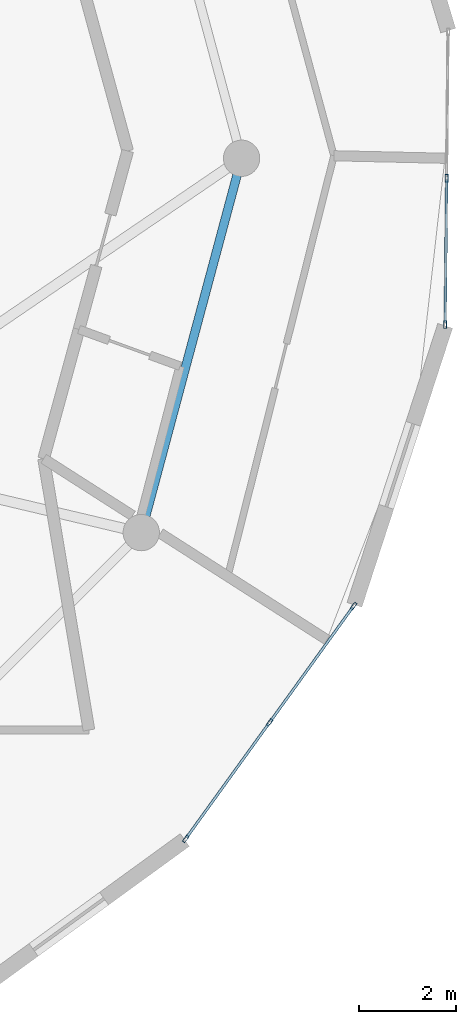
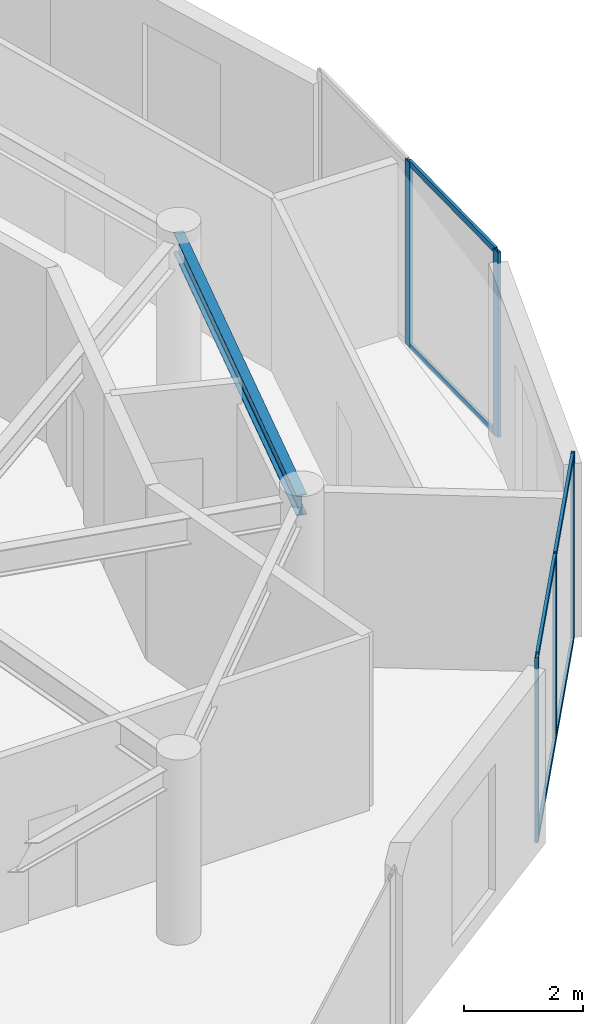
# One storey, part 9 of 19: 11 members, 1 beam, 2 elements without a shape of their own.
"""IFC4 building model written with IfcOpenShell, lengths in metres."""

from ifc_helpers import new_model, si_unit, direction, frame, origin, origin_2d, place, context, subcontext, project, spatial, hollow_rectangle, i_section, extrude, source, transform, mapped, material, layer, layer_set, material_profile, profile_set, type_object, element, aggregate, save


model = new_model("IFC4")

# Units and contexts
model_context = context("Model", 3, precision=1e-05, world=origin(), true_north=direction((0.0, 1.0)))
body_context = subcontext(model_context, "Body", "Model", "MODEL_VIEW")
ifc_project = project(units=[si_unit("LENGTHUNIT", "METRE"), si_unit("AREAUNIT", "SQUARE_METRE"), si_unit("VOLUMEUNIT", "CUBIC_METRE"), si_unit("PLANEANGLEUNIT", "RADIAN"), si_unit("MASSUNIT", "GRAM", prefix="KILO")], contexts=[model_context])

# Site, building, storey
site_placement = place(None, origin())
site = spatial("IfcSite", under=ifc_project, at=site_placement, CompositionType="ELEMENT")
building_placement = place(site_placement, origin())
building = spatial("IfcBuilding", under=site, at=building_placement, Name="Solvirekh Grand Hotel", CompositionType="ELEMENT")
storey_placement = place(building_placement, frame((0.0, 0.0, 254.39990234375)))
storey = spatial("IfcBuildingStorey", under=building, at=storey_placement, Name="L66", CompositionType="ELEMENT", Elevation=254.39990234375)

# Beam
ifc_material_1 = material(Name="Steel S355", Category="steel")
ifc_material_profile_1 = material_profile(ifc_material_1, i_section(OverallWidth=0.180908203125, OverallDepth=0.4169921875, WebThickness=0.010009765625, FlangeThickness=0.01611328125, FilletRadius=0.011962890625, at=origin_2d()), Name="W410X85")
ifc_profile_set_1 = profile_set([ifc_material_profile_1], Name="Steel S355")
beam_type = type_object("IfcBeamType", Name="Spandrel_Ring_W410", PredefinedType="SPANDREL", material=ifc_profile_set_1)
beam_placement = place(storey_placement, frame((13.3798828125, -7.72509765625, 3.362060546875), z_axis=(0.258834757072, 0.965921616143, 0.0), x_axis=(-0.965921616143, 0.258834757072, 0.0)))
element("IfcBeam", 1, at=beam_placement, inside=storey, type_object=beam_type, Name="L66 perimeter spandrel beam 12", PredefinedType="SPANDREL", context=body_context, shape_type="SweptSolid", body=[
    extrude(i_section(OverallWidth=0.180908203125, OverallDepth=0.4169921875, WebThickness=0.010009765625, FlangeThickness=0.01611328125, FilletRadius=0.011962890625, at=origin_2d()), origin(), (0.0, 0.0, 1.0), 7.99755859375),
])

# Curtain wall, members
ifc_material_2 = material(Name="Anodized Bronze Aluminium 6063-T6", Category="aluminium")
ifc_layer = layer(ifc_material_2, 0.159912109375)
ifc_layer_set = layer_set([ifc_layer], Name="Anodized Bronze Aluminium 6063-T6")
curtain_wall_type = type_object("IfcCurtainWallType", Name="CW_Sys4_HighZoneFlushBronzeCW", PredefinedType="NOTDEFINED", material=ifc_layer_set)
curtain_wall_1_placement = place(storey_placement, origin())
curtain_wall_1 = element("IfcCurtainWall", 2, at=curtain_wall_1_placement, inside=storey, type_object=curtain_wall_type, Name="L66 unitised bronze-glass curtain wall CW-L66-C03", PredefinedType="NOTDEFINED")
ifc_material_profile_2 = material_profile(ifc_material_2, hollow_rectangle(XDim=0.06005859375, YDim=0.159912109375, WallThickness=0.0048828125, at=origin_2d()), Name="ALU RHS 160X60X5")
ifc_profile_set_2 = profile_set([ifc_material_profile_2], Name="Anodized Bronze Aluminium 6063-T6")
member_type_1 = type_object("IfcMemberType", Name="CWMullion_Sys4", PredefinedType="MULLION", material=ifc_profile_set_2)
shared_shape_1 = source(origin(), body_context, "Body", "SweptSolid", [
    extrude(hollow_rectangle(XDim=0.06005859375, YDim=0.159912109375, WallThickness=0.0048828125, at=origin_2d()), origin(), (0.0, 0.0, 1.0), 3.800048828125),
])
member_1_placement = place(storey_placement, frame((14.296630859375, -14.045654296875, 0.0), z_axis=(0.0, 0.0, 1.0), x_axis=(-0.811049169877, 0.584977985947, 0.0)))
member_1 = element("IfcMember", 3, at=member_1_placement, type_object=member_type_1, Name="U04 mullion 1", PredefinedType="MULLION", context=body_context, shape_type="MappedRepresentation", body=[
    mapped(shared_shape_1, transform((0.0, 0.0, 0.0), x_axis=(1.0, 0.0, 0.0), y_axis=(0.0, 1.0, 0.0), z_axis=(0.0, 0.0, 1.0), scale=1.0)),
])
member_2_placement = place(storey_placement, frame((16.029541015625, -11.64306640625, 0.0), z_axis=(0.0, 0.0, 1.0), x_axis=(-0.811049169877, 0.584977985947, 0.0)))
member_2 = element("IfcMember", 4, at=member_2_placement, type_object=member_type_1, Name="U04 mullion 2", PredefinedType="MULLION", context=body_context, shape_type="MappedRepresentation", body=[
    mapped(shared_shape_1, transform((0.0, 0.0, 0.0), x_axis=(1.0, 0.0, 0.0), y_axis=(0.0, 1.0, 0.0), z_axis=(0.0, 0.0, 1.0), scale=1.0)),
])
member_3_placement = place(storey_placement, frame((17.762451171875, -9.240234375, 0.0), z_axis=(0.0, 0.0, 1.0), x_axis=(-0.811049169877, 0.584977985947, 0.0)))
member_3 = element("IfcMember", 5, at=member_3_placement, type_object=member_type_1, Name="U04 mullion 3", PredefinedType="MULLION", context=body_context, shape_type="MappedRepresentation", body=[
    mapped(shared_shape_1, transform((0.0, 0.0, 0.0), x_axis=(1.0, 0.0, 0.0), y_axis=(0.0, 1.0, 0.0), z_axis=(0.0, 0.0, 1.0), scale=1.0)),
])

curtain_wall_2_placement = place(storey_placement, origin())
curtain_wall_2 = element("IfcCurtainWall", 6, at=curtain_wall_2_placement, inside=storey, type_object=curtain_wall_type, Name="L66 unitised bronze-glass curtain wall CW-L66-C05", PredefinedType="NOTDEFINED")
member_4_placement = place(storey_placement, frame((19.65234375, -3.429931640625, 0.0), z_axis=(0.0, 0.0, 1.0), x_axis=(-0.999948266452, 0.010171746098, 0.0)))
member_4 = element("IfcMember", 7, at=member_4_placement, type_object=member_type_1, Name="U04 mullion 1", PredefinedType="MULLION", context=body_context, shape_type="MappedRepresentation", body=[
    mapped(shared_shape_1, transform((0.0, 0.0, 0.0), x_axis=(1.0, 0.0, 0.0), y_axis=(0.0, 1.0, 0.0), z_axis=(0.0, 0.0, 1.0), scale=1.0)),
])
member_5_placement = place(storey_placement, frame((19.68310546875, -0.41259765625, 0.0), z_axis=(0.0, 0.0, 1.0), x_axis=(-0.999948266452, 0.010171746098, 0.0)))
member_5 = element("IfcMember", 8, at=member_5_placement, type_object=member_type_1, Name="U04 mullion 2", PredefinedType="MULLION", context=body_context, shape_type="MappedRepresentation", body=[
    mapped(shared_shape_1, transform((0.0, 0.0, 0.0), x_axis=(1.0, 0.0, 0.0), y_axis=(0.0, 1.0, 0.0), z_axis=(0.0, 0.0, 1.0), scale=1.0)),
])

# Member
ifc_material_profile_3 = material_profile(ifc_material_2, hollow_rectangle(XDim=0.054931640625, YDim=0.1201171875, WallThickness=0.00390625, at=origin_2d()), Name="ALU RHS 120X55X4")
ifc_profile_set_3 = profile_set([ifc_material_profile_3], Name="Anodized Bronze Aluminium 6063-T6")
member_type_2 = type_object("IfcMemberType", Name="CWTransom_Sys4", PredefinedType="USERDEFINED", material=ifc_profile_set_3)
shared_shape_2 = source(origin(), body_context, "Body", "SweptSolid", [
    extrude(hollow_rectangle(XDim=0.054931640625, YDim=0.1201171875, WallThickness=0.00390625, at=origin_2d()), origin(), (0.0, 0.0, 1.0), 2.90234375),
])
member_6_placement = place(storey_placement, frame((14.314208984375, -14.021240234375, 0.027587890625), z_axis=(0.584956030424, 0.811065005083, 0.0), x_axis=(-0.811065005083, 0.584956030424, 0.0)))
member_6 = element("IfcMember", 9, at=member_6_placement, type_object=member_type_2, Name="U04 transom 1.1", ObjectType="TRANSOM", PredefinedType="USERDEFINED", context=body_context, shape_type="MappedRepresentation", body=[
    mapped(shared_shape_2, transform((0.0, 0.0, 0.0), x_axis=(1.0, 0.0, 0.0), y_axis=(0.0, 1.0, 0.0), z_axis=(0.0, 0.0, 1.0), scale=1.0)),
])

member_7_placement = place(storey_placement, frame((14.314208984375, -14.021240234375, 3.772705078125), z_axis=(0.584956030424, 0.811065005083, 0.0), x_axis=(-0.811065005083, 0.584956030424, 0.0)))
member_7 = element("IfcMember", 10, at=member_7_placement, type_object=member_type_2, Name="U04 transom 1.2", ObjectType="TRANSOM", PredefinedType="USERDEFINED", context=body_context, shape_type="MappedRepresentation", body=[
    mapped(shared_shape_2, transform((0.0, 0.0, 0.0), x_axis=(1.0, 0.0, 0.0), y_axis=(0.0, 1.0, 0.0), z_axis=(0.0, 0.0, 1.0), scale=1.0)),
])

member_8_placement = place(storey_placement, frame((16.047119140625, -11.61865234375, 0.027587890625), z_axis=(0.584956030424, 0.811065005083, 0.0), x_axis=(-0.811065005083, 0.584956030424, 0.0)))
member_8 = element("IfcMember", 11, at=member_8_placement, type_object=member_type_2, Name="U04 transom 2.1", ObjectType="TRANSOM", PredefinedType="USERDEFINED", context=body_context, shape_type="MappedRepresentation", body=[
    mapped(shared_shape_2, transform((0.0, 0.0, 0.0), x_axis=(1.0, 0.0, 0.0), y_axis=(0.0, 1.0, 0.0), z_axis=(0.0, 0.0, 1.0), scale=1.0)),
])

member_9_placement = place(storey_placement, frame((16.047119140625, -11.61865234375, 3.772705078125), z_axis=(0.584956030424, 0.811065005083, 0.0), x_axis=(-0.811065005083, 0.584956030424, 0.0)))
member_9 = element("IfcMember", 12, at=member_9_placement, type_object=member_type_2, Name="U04 transom 2.2", ObjectType="TRANSOM", PredefinedType="USERDEFINED", context=body_context, shape_type="MappedRepresentation", body=[
    mapped(shared_shape_2, transform((0.0, 0.0, 0.0), x_axis=(1.0, 0.0, 0.0), y_axis=(0.0, 1.0, 0.0), z_axis=(0.0, 0.0, 1.0), scale=1.0)),
])

aggregate(curtain_wall_1, [member_1, member_2, member_3, member_6, member_7, member_8, member_9])

shared_shape_3 = source(origin(), body_context, "Body", "SweptSolid", [
    extrude(hollow_rectangle(XDim=0.054931640625, YDim=0.1201171875, WallThickness=0.00390625, at=origin_2d()), origin(), (0.0, 0.0, 1.0), 2.957763671875),
])
member_10_placement = place(storey_placement, frame((19.652587890625, -3.39990234375, 0.027587890625), z_axis=(0.010153018011, 0.999948456784, 0.0), x_axis=(-0.999948456784, 0.010153018011, 0.0)))
member_10 = element("IfcMember", 13, at=member_10_placement, type_object=member_type_2, Name="U04 transom 1.1", ObjectType="TRANSOM", PredefinedType="USERDEFINED", context=body_context, shape_type="MappedRepresentation", body=[
    mapped(shared_shape_3, transform((0.0, 0.0, 0.0), x_axis=(1.0, 0.0, 0.0), y_axis=(0.0, 1.0, 0.0), z_axis=(0.0, 0.0, 1.0), scale=1.0)),
])

member_11_placement = place(storey_placement, frame((19.652587890625, -3.39990234375, 3.772705078125), z_axis=(0.010153018011, 0.999948456784, 0.0), x_axis=(-0.999948456784, 0.010153018011, 0.0)))
member_11 = element("IfcMember", 14, at=member_11_placement, type_object=member_type_2, Name="U04 transom 1.2", ObjectType="TRANSOM", PredefinedType="USERDEFINED", context=body_context, shape_type="MappedRepresentation", body=[
    mapped(shared_shape_3, transform((0.0, 0.0, 0.0), x_axis=(1.0, 0.0, 0.0), y_axis=(0.0, 1.0, 0.0), z_axis=(0.0, 0.0, 1.0), scale=1.0)),
])

aggregate(curtain_wall_2, [member_4, member_5, member_10, member_11])

save(model, "model.ifc")
